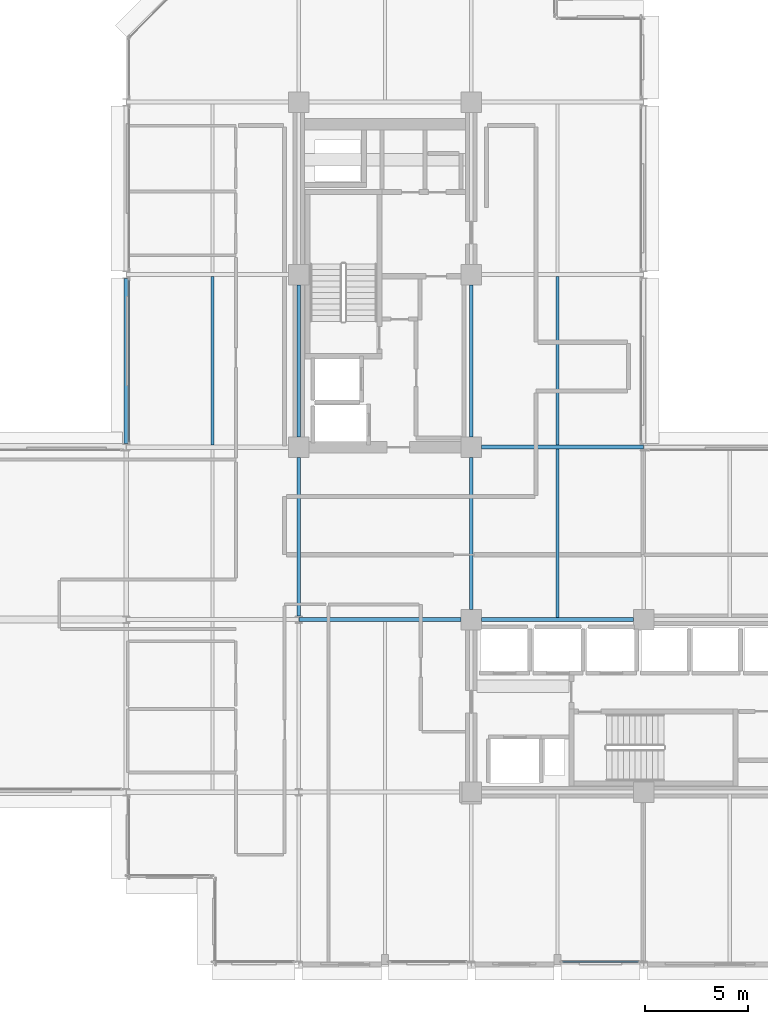
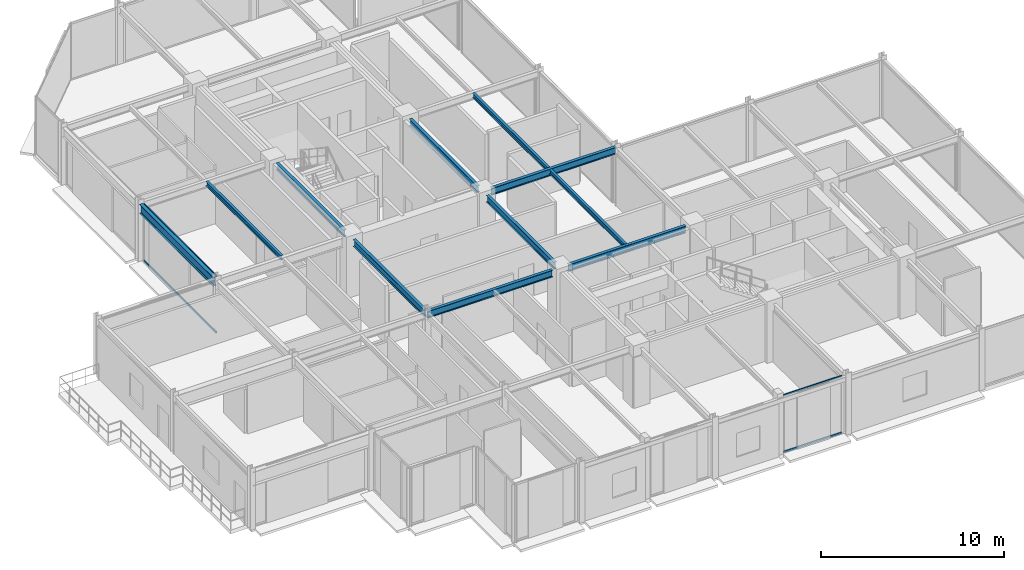
# One storey, part 10 of 29: 11 beams, 4 members, 2 elements without a shape of their own.
"""IFC4 building model written with IfcOpenShell, lengths in metres."""

from ifc_helpers import new_model, si_unit, direction, frame, origin, origin_2d, place, context, subcontext, project, spatial, hollow_rectangle, i_section, extrude, material, layer, layer_set, material_profile, profile_set, type_object, element, aggregate, save


model = new_model("IFC4")

# Units and contexts
model_context = context("Model", 3, precision=1e-05, world=origin(), true_north=direction((0.0, 1.0)))
body_context = subcontext(model_context, "Body", "Model", "MODEL_VIEW")
ifc_project = project(units=[si_unit("LENGTHUNIT", "METRE"), si_unit("AREAUNIT", "SQUARE_METRE"), si_unit("VOLUMEUNIT", "CUBIC_METRE"), si_unit("PLANEANGLEUNIT", "RADIAN"), si_unit("MASSUNIT", "GRAM", prefix="KILO")], contexts=[model_context])

# Site, building, storey
site_placement = place(None, origin())
site = spatial("IfcSite", under=ifc_project, at=site_placement, CompositionType="ELEMENT")
building_placement = place(site_placement, origin())
building = spatial("IfcBuilding", under=site, at=building_placement, Name="Nerrivon Quay Data Exchange", CompositionType="ELEMENT")
storey_placement = place(building_placement, frame((0.0, 0.0, 191.89990234375)))
storey = spatial("IfcBuildingStorey", under=building, at=storey_placement, Name="L45", CompositionType="ELEMENT", Elevation=191.89990234375)

# Beams
ifc_material_1 = material(Name="Steel Grade 350", Category="steel")
ifc_material_profile_1 = material_profile(ifc_material_1, i_section(OverallWidth=0.22802734375, OverallDepth=0.60205078125, WebThickness=0.010498046875, FlangeThickness=0.014892578125, FilletRadius=0.013916015625, at=origin_2d()), Name="610UB101")
ifc_profile_set_1 = profile_set([ifc_material_profile_1], Name="Steel Grade 350")
beam_type_1 = type_object("IfcBeamType", Name="BM-G2-610UB101", PredefinedType="BEAM", material=ifc_profile_set_1)
beam_1_placement = place(storey_placement, frame((0.0, 25.375, 3.524169921875), z_axis=(0.0, 1.0, 0.0), x_axis=(-1.0, 0.0, 0.0)))
element("IfcBeam", 1, at=beam_1_placement, inside=storey, type_object=beam_type_1, Name="L45 NS Girder X=0.0 (25.2..33.6)", PredefinedType="BEAM", context=body_context, shape_type="SweptSolid", body=[
    extrude(i_section(OverallWidth=0.22802734375, OverallDepth=0.60205078125, WebThickness=0.010498046875, FlangeThickness=0.014892578125, FilletRadius=0.013916015625, at=origin_2d()), origin(), (0.0, 0.0, 1.0), 8.050048828125),
])
ifc_material_profile_2 = material_profile(ifc_material_1, i_section(OverallWidth=0.19091796875, OverallDepth=0.4599609375, WebThickness=0.010009765625, FlangeThickness=0.01611328125, FilletRadius=0.011474609375, at=origin_2d()), Name="460UB82.1")
ifc_profile_set_2 = profile_set([ifc_material_profile_2], Name="Steel Grade 350")
beam_type_2 = type_object("IfcBeamType", Name="BM-G5-460UB82", PredefinedType="BEAM", material=ifc_profile_set_2)
beam_2_placement = place(storey_placement, frame((8.409912109375, 16.800048828125, 3.59521484375), z_axis=(1.0, 0.0, 0.0), x_axis=(0.0, 1.0, 0.0)))
element("IfcBeam", 2, at=beam_2_placement, inside=storey, type_object=beam_type_2, Name="L45 EW Girder Y=16.8 (8.4..16.8)", PredefinedType="BEAM", context=body_context, shape_type="SweptSolid", body=[
    extrude(i_section(OverallWidth=0.19091796875, OverallDepth=0.4599609375, WebThickness=0.010009765625, FlangeThickness=0.01611328125, FilletRadius=0.011474609375, at=origin_2d()), origin(), (0.0, 0.0, 1.0), 7.89013671875),
])
beam_3_placement = place(storey_placement, frame((17.300048828125, 16.800048828125, 3.59521484375), z_axis=(1.0, 0.0, 0.0), x_axis=(0.0, 1.0, 0.0)))
element("IfcBeam", 3, at=beam_3_placement, inside=storey, type_object=beam_type_2, Name="L45 EW Girder Y=16.8 (16.8..25.2)", PredefinedType="BEAM", context=body_context, shape_type="SweptSolid", body=[
    extrude(i_section(OverallWidth=0.19091796875, OverallDepth=0.4599609375, WebThickness=0.010009765625, FlangeThickness=0.01611328125, FilletRadius=0.011474609375, at=origin_2d()), origin(), (0.0, 0.0, 1.0), 7.39990234375),
])
beam_4_placement = place(storey_placement, frame((17.300048828125, 25.199951171875, 3.59521484375), z_axis=(1.0, 0.0, 0.0), x_axis=(0.0, 1.0, 0.0)))
element("IfcBeam", 4, at=beam_4_placement, inside=storey, type_object=beam_type_2, Name="L45 EW Girder Y=25.2 (16.8..25.2)", PredefinedType="BEAM", context=body_context, shape_type="SweptSolid", body=[
    extrude(i_section(OverallWidth=0.19091796875, OverallDepth=0.4599609375, WebThickness=0.010009765625, FlangeThickness=0.01611328125, FilletRadius=0.011474609375, at=origin_2d()), origin(), (0.0, 0.0, 1.0), 7.889892578125),
])
ifc_material_profile_3 = material_profile(ifc_material_1, i_section(OverallWidth=0.18994140625, OverallDepth=0.4541015625, WebThickness=0.008544921875, FlangeThickness=0.0126953125, FilletRadius=0.011474609375, at=origin_2d()), Name="460UB67.1")
ifc_profile_set_3 = profile_set([ifc_material_profile_3], Name="Steel Grade 350")
beam_type_3 = type_object("IfcBeamType", Name="BM-G6-460UB67", PredefinedType="BEAM", material=ifc_profile_set_3)
beam_5_placement = place(storey_placement, frame((8.39990234375, 16.97509765625, 3.59814453125), z_axis=(0.0, 1.0, 0.0), x_axis=(-1.0, 0.0, 0.0)))
element("IfcBeam", 5, at=beam_5_placement, inside=storey, type_object=beam_type_3, Name="L45 NS Girder X=8.4 (16.8..25.2)", PredefinedType="BEAM", context=body_context, shape_type="SweptSolid", body=[
    extrude(i_section(OverallWidth=0.18994140625, OverallDepth=0.4541015625, WebThickness=0.008544921875, FlangeThickness=0.0126953125, FilletRadius=0.011474609375, at=origin_2d()), origin(), (0.0, 0.0, 1.0), 7.724853515625),
])
beam_6_placement = place(storey_placement, frame((8.39990234375, 25.699951171875, 3.59814453125), z_axis=(0.0, 1.0, 0.0), x_axis=(-1.0, 0.0, 0.0)))
element("IfcBeam", 6, at=beam_6_placement, inside=storey, type_object=beam_type_3, Name="L45 NS Girder X=8.4 (25.2..33.6)", PredefinedType="BEAM", context=body_context, shape_type="SweptSolid", body=[
    extrude(i_section(OverallWidth=0.18994140625, OverallDepth=0.4541015625, WebThickness=0.008544921875, FlangeThickness=0.0126953125, FilletRadius=0.011474609375, at=origin_2d()), origin(), (0.0, 0.0, 1.0), 7.400146484375),
])
beam_7_placement = place(storey_placement, frame((16.800048828125, 17.300048828125, 3.59814453125), z_axis=(0.0, 1.0, 0.0), x_axis=(-1.0, 0.0, 0.0)))
element("IfcBeam", 7, at=beam_7_placement, inside=storey, type_object=beam_type_3, Name="L45 NS Girder X=16.8 (16.8..25.2)", PredefinedType="BEAM", context=body_context, shape_type="SweptSolid", body=[
    extrude(i_section(OverallWidth=0.18994140625, OverallDepth=0.4541015625, WebThickness=0.008544921875, FlangeThickness=0.0126953125, FilletRadius=0.011474609375, at=origin_2d()), origin(), (0.0, 0.0, 1.0), 7.39990234375),
])
beam_8_placement = place(storey_placement, frame((16.800048828125, 25.699951171875, 3.59814453125), z_axis=(0.0, 1.0, 0.0), x_axis=(-1.0, 0.0, 0.0)))
element("IfcBeam", 8, at=beam_8_placement, inside=storey, type_object=beam_type_3, Name="L45 NS Girder X=16.8 (25.2..33.6)", PredefinedType="BEAM", context=body_context, shape_type="SweptSolid", body=[
    extrude(i_section(OverallWidth=0.18994140625, OverallDepth=0.4541015625, WebThickness=0.008544921875, FlangeThickness=0.0126953125, FilletRadius=0.011474609375, at=origin_2d()), origin(), (0.0, 0.0, 1.0), 7.400146484375),
])
ifc_material_profile_4 = material_profile(ifc_material_1, i_section(OverallWidth=0.166015625, OverallDepth=0.306884765625, WebThickness=0.006591796875, FlangeThickness=0.01171875, FilletRadius=0.011474609375, at=origin_2d()), Name="310UB46.2")
ifc_profile_set_4 = profile_set([ifc_material_profile_4], Name="Steel Grade 350")
beam_type_4 = type_object("IfcBeamType", Name="BM-J5-310UB46", PredefinedType="JOIST", material=ifc_profile_set_4)
beam_9_placement = place(storey_placement, frame((4.199951171875, 25.314453125, 3.671630859375), z_axis=(0.0, 1.0, 0.0), x_axis=(-1.0, 0.0, 0.0)))
element("IfcBeam", 9, at=beam_9_placement, inside=storey, type_object=beam_type_4, Name="L45 Secondary Joist X=4.2 (25.2..33.6)", PredefinedType="JOIST", context=body_context, shape_type="SweptSolid", body=[
    extrude(i_section(OverallWidth=0.166015625, OverallDepth=0.306884765625, WebThickness=0.006591796875, FlangeThickness=0.01171875, FilletRadius=0.011474609375, at=origin_2d()), origin(), (0.0, 0.0, 1.0), 8.18994140625),
])
for number, where, z_axis, x_axis, name in (
    (10, (21.0, 16.8955078125, 3.671630859375), (0.0, 1.0, 0.0), (-1.0, 0.0, 0.0), "L45 Secondary Joist X=21.0 (16.8..25.2)"),
    (11, (21.0, 25.29541015625, 3.671630859375), (0.0, 1.0, 0.0), (-1.0, 0.0, 0.0), "L45 Secondary Joist X=21.0 (25.2..33.6)"),
):
    element("IfcBeam", number, at=place(storey_placement, frame(where, z_axis=z_axis, x_axis=x_axis)), inside=storey, type_object=beam_type_4, Name=name, PredefinedType="JOIST", context=body_context, shape_type="SweptSolid", body=[
        extrude(i_section(OverallWidth=0.166015625, OverallDepth=0.306884765625, WebThickness=0.006591796875, FlangeThickness=0.01171875, FilletRadius=0.011474609375, at=origin_2d()), origin(), (0.0, 0.0, 1.0), 8.208984375),
    ])

# Curtain wall, members
ifc_material_2 = material(Name="Anodised aluminium 6063-T6", Category="aluminium")
ifc_layer = layer(ifc_material_2, 0.195068359375)
ifc_layer_set = layer_set([ifc_layer], Name="Anodised aluminium 6063-T6")
curtain_wall_type = type_object("IfcCurtainWallType", Name="CW-SYS-06", PredefinedType="NOTDEFINED", material=ifc_layer_set)
curtain_wall_1_placement = place(storey_placement, origin())
curtain_wall_1 = element("IfcCurtainWall", 12, at=curtain_wall_1_placement, inside=storey, type_object=curtain_wall_type, Name="L45 Unitised Curtain Wall 4", PredefinedType="NOTDEFINED")
ifc_material_profile_5 = material_profile(ifc_material_2, hollow_rectangle(XDim=0.06005859375, YDim=0.1201171875, WallThickness=0.003173828125, at=origin_2d()), Name="ALU-TRAN-120x60")
ifc_profile_set_5 = profile_set([ifc_material_profile_5], Name="Anodised aluminium 6063-T6")
member_type = type_object("IfcMemberType", Name="CWT-120x60", PredefinedType="USERDEFINED", material=ifc_profile_set_5)
member_1_placement = place(storey_placement, frame((0.139892578125, 25.449951171875, 0.03271484375), z_axis=(0.0, 1.0, 0.0), x_axis=(-1.0, 0.0, 0.0)))
member_1 = element("IfcMember", 13, at=member_1_placement, type_object=member_type, Name="CW06 transom 1.1", ObjectType="TRANSOM", PredefinedType="USERDEFINED", context=body_context, shape_type="SweptSolid", body=[
    extrude(hollow_rectangle(XDim=0.06005859375, YDim=0.1201171875, WallThickness=0.003173828125, at=origin_2d()), origin(), (0.0, 0.0, 1.0), 7.900146484375),
])
member_2_placement = place(storey_placement, frame((0.139892578125, 25.449951171875, 3.79248046875), z_axis=(0.0, 1.0, 0.0), x_axis=(-1.0, 0.0, 0.0)))
member_2 = element("IfcMember", 14, at=member_2_placement, type_object=member_type, Name="CW06 transom 1.2", ObjectType="TRANSOM", PredefinedType="USERDEFINED", context=body_context, shape_type="SweptSolid", body=[
    extrude(hollow_rectangle(XDim=0.06005859375, YDim=0.1201171875, WallThickness=0.003173828125, at=origin_2d()), origin(), (0.0, 0.0, 1.0), 7.900146484375),
])
aggregate(curtain_wall_1, [member_1, member_2])

curtain_wall_2_placement = place(storey_placement, origin())
curtain_wall_2 = element("IfcCurtainWall", 15, at=curtain_wall_2_placement, inside=storey, type_object=curtain_wall_type, Name="L45 Unitised Curtain Wall 24", PredefinedType="NOTDEFINED")
member_3_placement = place(storey_placement, frame((24.949951171875, 0.139892578125, 0.03271484375), z_axis=(-1.0, 0.0, 0.0), x_axis=(0.0, -1.0, 0.0)))
member_3 = element("IfcMember", 16, at=member_3_placement, type_object=member_type, Name="CW06 transom 1.1", ObjectType="TRANSOM", PredefinedType="USERDEFINED", context=body_context, shape_type="SweptSolid", body=[
    extrude(hollow_rectangle(XDim=0.06005859375, YDim=0.1201171875, WallThickness=0.003173828125, at=origin_2d()), origin(), (0.0, 0.0, 1.0), 3.699951171875),
])
member_4_placement = place(storey_placement, frame((24.949951171875, 0.139892578125, 3.79248046875), z_axis=(-1.0, 0.0, 0.0), x_axis=(0.0, -1.0, 0.0)))
member_4 = element("IfcMember", 17, at=member_4_placement, type_object=member_type, Name="CW06 transom 1.2", ObjectType="TRANSOM", PredefinedType="USERDEFINED", context=body_context, shape_type="SweptSolid", body=[
    extrude(hollow_rectangle(XDim=0.06005859375, YDim=0.1201171875, WallThickness=0.003173828125, at=origin_2d()), origin(), (0.0, 0.0, 1.0), 3.699951171875),
])
aggregate(curtain_wall_2, [member_3, member_4])

save(model, "model.ifc")
